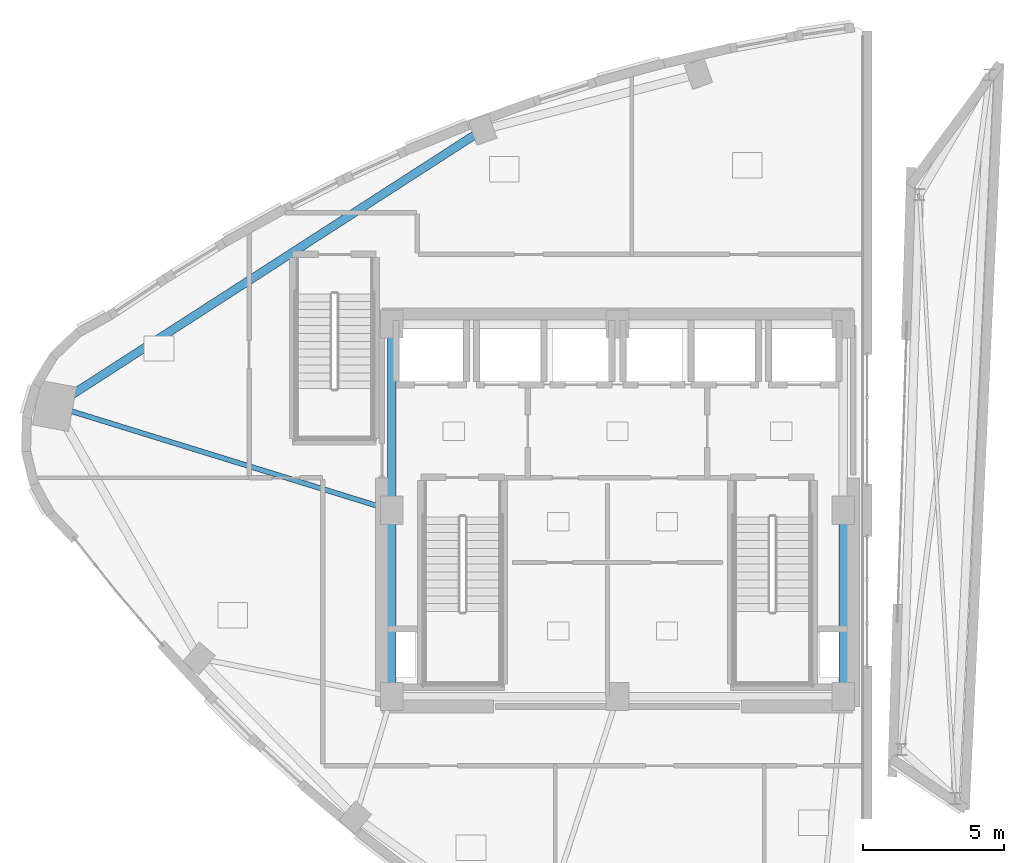
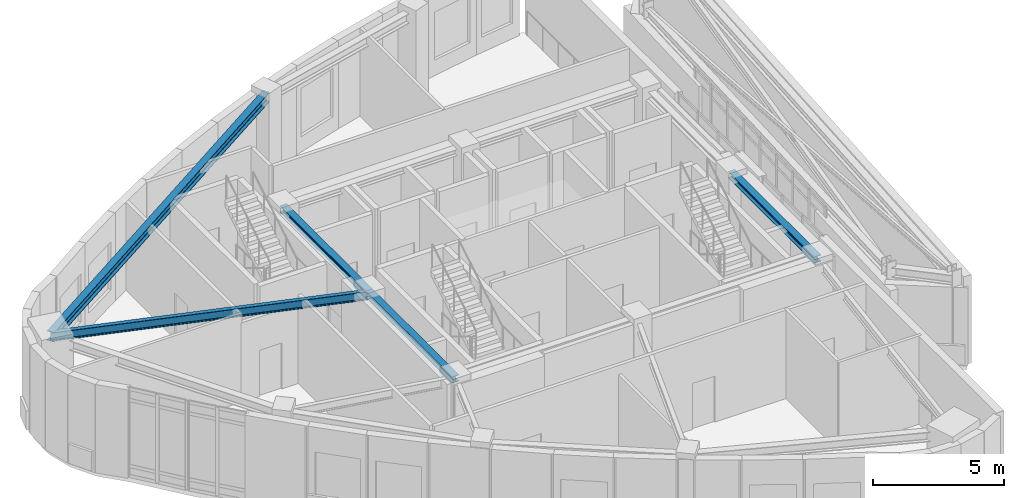
# One storey, part 6 of 19: 5 beams.
"""IFC4 building model written with IfcOpenShell, lengths in metres."""

from ifc_helpers import new_model, si_unit, direction, frame, origin, origin_2d, place, context, subcontext, project, spatial, i_section, extrude, material, material_profile, profile_set, type_object, element, save


model = new_model("IFC4")

# Units and contexts
model_context = context("Model", 3, precision=1e-05, world=origin(), true_north=direction((0.0, 1.0)))
body_context = subcontext(model_context, "Body", "Model", "MODEL_VIEW")
ifc_project = project(units=[si_unit("LENGTHUNIT", "METRE"), si_unit("AREAUNIT", "SQUARE_METRE"), si_unit("VOLUMEUNIT", "CUBIC_METRE"), si_unit("PLANEANGLEUNIT", "RADIAN"), si_unit("MASSUNIT", "GRAM", prefix="KILO")], contexts=[model_context])

# Site, building, storey
site_placement = place(None, origin())
site = spatial("IfcSite", under=ifc_project, at=site_placement, CompositionType="ELEMENT")
building_placement = place(site_placement, origin())
building = spatial("IfcBuilding", under=site, at=building_placement, Name="Ndelora Gate Hotel", CompositionType="ELEMENT")
storey_placement = place(building_placement, frame((0.0, 0.0, 286.0)))
storey = spatial("IfcBuildingStorey", under=building, at=storey_placement, Name="L71", CompositionType="ELEMENT", Elevation=286.0)

# Beams
ifc_material = material(Name="Steel S355", Category="steel")
ifc_material_profile_1 = material_profile(ifc_material, i_section(OverallWidth=0.300048828125, OverallDepth=0.300048828125, WebThickness=0.010986328125, FlangeThickness=0.01904296875, FilletRadius=0.027099609375, at=origin_2d()), Name="HEB 300")
ifc_profile_set_1 = profile_set([ifc_material_profile_1], Name="Steel S355")
beam_type_1 = type_object("IfcBeamType", Name="BM-CORE-300", PredefinedType="BEAM", material=ifc_profile_set_1)
for number, where, z_axis, x_axis, name in (
    (1, (-8.0, -6.60009765625, 3.97998046875), (0.0, 1.0, 0.0), (-1.0, 0.0, 0.0), "L71 Core Tie Girder CC1-CC8"),
    (2, (-8.0, 0.0, 3.97998046875), (0.0, 1.0, 0.0), (-1.0, 0.0, 0.0), "L71 Core Tie Girder CC8-CC7"),
    (3, (8.0, -6.60009765625, 3.97998046875), (0.0, 1.0, 0.0), (-1.0, 0.0, 0.0), "L71 Core Tie Girder CC3-CC4"),
):
    element("IfcBeam", number, at=place(storey_placement, frame(where, z_axis=z_axis, x_axis=x_axis)), inside=storey, type_object=beam_type_1, Name=name, PredefinedType="BEAM", context=body_context, shape_type="SweptSolid", body=[
        extrude(i_section(OverallWidth=0.300048828125, OverallDepth=0.300048828125, WebThickness=0.010986328125, FlangeThickness=0.01904296875, FilletRadius=0.027099609375, at=origin_2d()), origin(), (0.0, 0.0, 1.0), 6.60009765625),
    ])
ifc_material_profile_2 = material_profile(ifc_material, i_section(OverallWidth=0.179931640625, OverallDepth=0.39990234375, WebThickness=0.008544921875, FlangeThickness=0.013427734375, FilletRadius=0.02099609375, at=origin_2d()), Name="IPE 400")
ifc_profile_set_2 = profile_set([ifc_material_profile_2], Name="Steel S355")
beam_type_2 = type_object("IfcBeamType", Name="BM-RAD-400", PredefinedType="BEAM", material=ifc_profile_set_2)
beam_1_placement = place(storey_placement, frame((-8.0, 0.0, 3.929931640625), z_axis=(-0.955314894525, 0.295590007101, 0.0), x_axis=(-0.295590007101, -0.955314894525, 0.0)))
element("IfcBeam", 4, at=beam_1_placement, inside=storey, type_object=beam_type_2, Name="L71 structural beam FB-5", PredefinedType="BEAM", context=body_context, shape_type="SweptSolid", body=[
    extrude(i_section(OverallWidth=0.179931640625, OverallDepth=0.39990234375, WebThickness=0.008544921875, FlangeThickness=0.013427734375, FilletRadius=0.02099609375, at=origin_2d()), origin(), (0.0, 0.0, 1.0), 12.509033203125),
])
ifc_material_profile_3 = material_profile(ifc_material, i_section(OverallWidth=0.300048828125, OverallDepth=0.449951171875, WebThickness=0.013916015625, FlangeThickness=0.02587890625, FilletRadius=0.027099609375, at=origin_2d()), Name="HEB 450")
ifc_profile_set_3 = profile_set([ifc_material_profile_3], Name="Steel S355")
beam_type_3 = type_object("IfcBeamType", Name="BM-RING-450", PredefinedType="SPANDREL", material=ifc_profile_set_3)
beam_2_placement = place(storey_placement, frame((-4.7744140625, 13.482666015625, 3.905029296875), z_axis=(-0.840435702398, -0.541911275151, 0.0), x_axis=(0.541911275151, -0.840435702398, 0.0)))
element("IfcBeam", 5, at=beam_2_placement, inside=storey, type_object=beam_type_3, Name="L71 structural beam RB-5", PredefinedType="SPANDREL", context=body_context, shape_type="SweptSolid", body=[
    extrude(i_section(OverallWidth=0.300048828125, OverallDepth=0.449951171875, WebThickness=0.013916015625, FlangeThickness=0.02587890625, FilletRadius=0.027099609375, at=origin_2d()), origin(), (0.0, 0.0, 1.0), 18.056640625),
])

save(model, "model.ifc")
